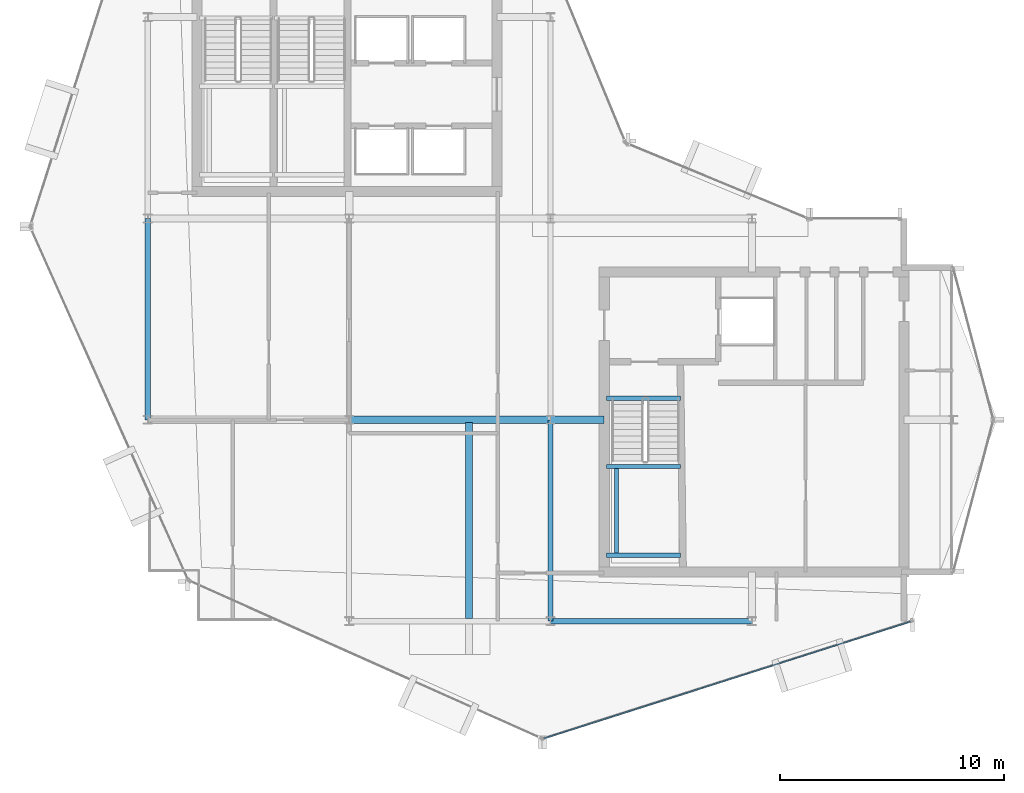
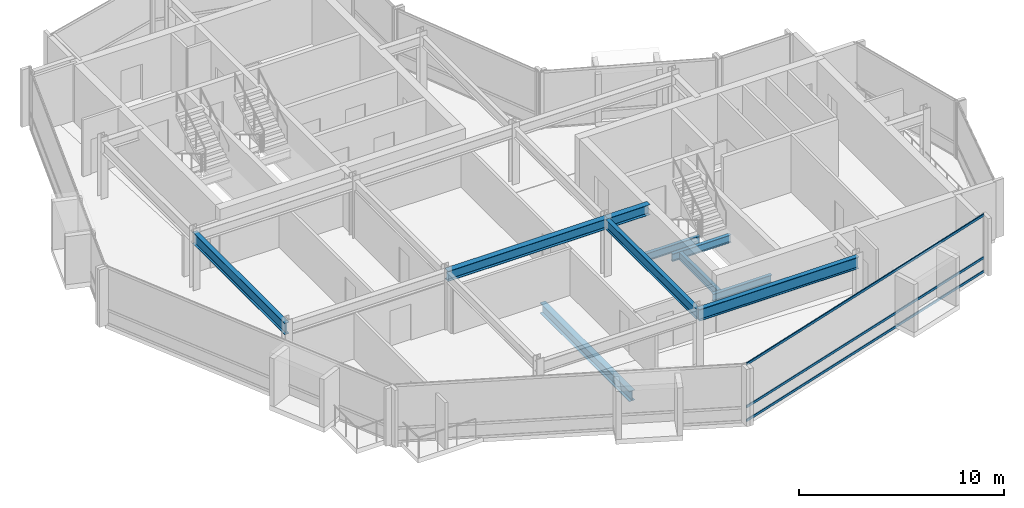
# One storey, part 5 of 19: 10 beams, 3 members, 1 element without a shape of its own.
"""IFC4 building model written with IfcOpenShell, lengths in metres."""

from ifc_helpers import new_model, si_unit, direction, frame, origin, origin_2d, place, context, subcontext, project, spatial, hollow_rectangle, i_section, extrude, material, layer, layer_set, material_profile, profile_set, type_object, element, aggregate, save


model = new_model("IFC4")

# Units and contexts
model_context = context("Model", 3, precision=1e-05, world=origin(), true_north=direction((0.0, 1.0)))
body_context = subcontext(model_context, "Body", "Model", "MODEL_VIEW")
ifc_project = project(units=[si_unit("LENGTHUNIT", "METRE"), si_unit("AREAUNIT", "SQUARE_METRE"), si_unit("VOLUMEUNIT", "CUBIC_METRE"), si_unit("PLANEANGLEUNIT", "RADIAN"), si_unit("MASSUNIT", "GRAM", prefix="KILO")], contexts=[model_context])

# Site, building, storey
site_placement = place(None, origin())
site = spatial("IfcSite", under=ifc_project, at=site_placement, CompositionType="ELEMENT")
building_placement = place(site_placement, origin())
building = spatial("IfcBuilding", under=site, at=building_placement, Name="Solvaryn Broadcast Tower", CompositionType="ELEMENT")
storey_placement = place(building_placement, frame((0.0, 0.0, 274.10009765625)))
storey = spatial("IfcBuildingStorey", under=building, at=storey_placement, Name="L69", CompositionType="ELEMENT", Elevation=274.10009765625)

# Beams
ifc_material_1 = material(Name="Steel ASTM A992 Grade 50", Category="steel")
ifc_material_profile_1 = material_profile(ifc_material_1, i_section(OverallWidth=0.323974609375, OverallDepth=0.611083984375, WebThickness=0.0126953125, FlangeThickness=0.01904296875, FilletRadius=0.014892578125, at=origin_2d()))
ifc_profile_set_1 = profile_set([ifc_material_profile_1], Name="Steel ASTM A992 Grade 50")
beam_type_1 = type_object("IfcBeamType", Name="BM-B1-W24X104", PredefinedType="BEAM", material=ifc_profile_set_1)
beam_1_placement = place(storey_placement, frame((23.35009765625, 17.875, -0.585693359375), z_axis=(0.0, -1.0, 0.0), x_axis=(1.0, 0.0, 0.0)))
element("IfcBeam", 1, at=beam_1_placement, inside=storey, type_object=beam_type_1, Name="L69 Bay-Box Back-Span Beam 1", PredefinedType="BEAM", context=body_context, shape_type="SweptSolid", body=[
    extrude(i_section(OverallWidth=0.323974609375, OverallDepth=0.611083984375, WebThickness=0.0126953125, FlangeThickness=0.01904296875, FilletRadius=0.014892578125, at=origin_2d()), origin(), (0.0, 0.0, 1.0), 8.75),
])
beam_2_placement = place(storey_placement, frame((18.0, 18.0, 3.114501953125), z_axis=(1.0, 0.0, 0.0), x_axis=(0.0, 1.0, 0.0)))
element("IfcBeam", 2, at=beam_2_placement, inside=storey, type_object=beam_type_1, Name="L69 Primary Beam X (18-27 @ Y=18)", PredefinedType="BEAM", context=body_context, shape_type="SweptSolid", body=[
    extrude(i_section(OverallWidth=0.323974609375, OverallDepth=0.611083984375, WebThickness=0.0126953125, FlangeThickness=0.01904296875, FilletRadius=0.014892578125, at=origin_2d()), origin(), (0.0, 0.0, 1.0), 9.0),
])
beam_3_placement = place(storey_placement, frame((27.0, 18.0, 3.114501953125), z_axis=(1.0, 0.0, 0.0), x_axis=(0.0, 1.0, 0.0)))
element("IfcBeam", 3, at=beam_3_placement, inside=storey, type_object=beam_type_1, Name="L69 Core Tie Beam CTE4", PredefinedType="BEAM", context=body_context, shape_type="SweptSolid", body=[
    extrude(i_section(OverallWidth=0.323974609375, OverallDepth=0.611083984375, WebThickness=0.0126953125, FlangeThickness=0.01904296875, FilletRadius=0.014892578125, at=origin_2d()), origin(), (0.0, 0.0, 1.0), 2.39990234375),
])
ifc_material_2 = material(Name="Steel ASTM A992 Grade 50", Category="steel")
ifc_material_profile_2 = material_profile(ifc_material_2, i_section(OverallWidth=0.22802734375, OverallDepth=0.60791015625, WebThickness=0.01123046875, FlangeThickness=0.017333984375, FilletRadius=0.014892578125, at=origin_2d()))
ifc_profile_set_2 = profile_set([ifc_material_profile_2], Name="Steel ASTM A992 Grade 50")
beam_type_2 = type_object("IfcBeamType", Name="BM-B2-W24X76", PredefinedType="BEAM", material=ifc_profile_set_2)
beam_4_placement = place(storey_placement, frame((27.0, 9.0, 3.115966796875), z_axis=(0.0, 1.0, 0.0), x_axis=(-1.0, 0.0, 0.0)))
element("IfcBeam", 4, at=beam_4_placement, inside=storey, type_object=beam_type_2, Name="L69 Primary Beam Y (9-18 @ X=27)", PredefinedType="BEAM", context=body_context, shape_type="SweptSolid", body=[
    extrude(i_section(OverallWidth=0.22802734375, OverallDepth=0.60791015625, WebThickness=0.01123046875, FlangeThickness=0.017333984375, FilletRadius=0.014892578125, at=origin_2d()), origin(), (0.0, 0.0, 1.0), 9.0),
])
ifc_material_3 = material(Name="Steel ASTM A992 Grade 50", Category="steel")
ifc_material_profile_3 = material_profile(ifc_material_3, i_section(OverallWidth=0.18994140625, OverallDepth=0.45703125, WebThickness=0.009033203125, FlangeThickness=0.014404296875, FilletRadius=0.011962890625, at=origin_2d()))
ifc_profile_set_3 = profile_set([ifc_material_profile_3], Name="Steel ASTM A992 Grade 50")
beam_type_3 = type_object("IfcBeamType", Name="BM-B4-W18X50", PredefinedType="BEAM", material=ifc_profile_set_3)
for number, where, z_axis, x_axis, name in (
    (5, (29.5, 18.9599609375, -0.508544921875), (1.0, 0.0, 0.0), (0.0, 1.0, 0.0), "L69 ST3 Stair Well Trimmer Beam"),
    (6, (29.5, 11.949951171875, 1.42138671875), (1.0, 0.0, 0.0), (0.0, 1.0, 0.0), "L69 ST3 Landing Support Beam 1A"),
    (7, (29.5, 15.909912109375, 1.42138671875), (1.0, 0.0, 0.0), (0.0, 1.0, 0.0), "L69 ST3 Landing Support Beam 1B"),
):
    element("IfcBeam", number, at=place(storey_placement, frame(where, z_axis=z_axis, x_axis=x_axis)), inside=storey, type_object=beam_type_3, Name=name, PredefinedType="BEAM", context=body_context, shape_type="SweptSolid", body=[
        extrude(i_section(OverallWidth=0.18994140625, OverallDepth=0.45703125, WebThickness=0.009033203125, FlangeThickness=0.014404296875, FilletRadius=0.011962890625, at=origin_2d()), origin(), (0.0, 0.0, 1.0), 3.320068359375),
    ])
beam_5_placement = place(storey_placement, frame((29.949951171875, 11.949951171875, 1.42138671875), z_axis=(0.0, 1.0, 0.0), x_axis=(-1.0, 0.0, 0.0)))
element("IfcBeam", 8, at=beam_5_placement, inside=storey, type_object=beam_type_3, Name="L69 ST3 Landing Cross Stringer 1C", PredefinedType="BEAM", context=body_context, shape_type="SweptSolid", body=[
    extrude(i_section(OverallWidth=0.18994140625, OverallDepth=0.45703125, WebThickness=0.009033203125, FlangeThickness=0.014404296875, FilletRadius=0.011962890625, at=origin_2d()), origin(), (0.0, 0.0, 1.0), 3.9599609375),
])
ifc_material_4 = material(Name="Steel ASTM A992 Grade 50", Category="steel")
ifc_material_profile_4 = material_profile(ifc_material_4, i_section(OverallWidth=0.256103515625, OverallDepth=0.693115234375, WebThickness=0.014404296875, FlangeThickness=0.023681640625, FilletRadius=0.01611328125, at=origin_2d()))
ifc_profile_set_4 = profile_set([ifc_material_profile_4], Name="Steel ASTM A992 Grade 50")
beam_type_4 = type_object("IfcBeamType", Name="BM-SP3-W27X114", PredefinedType="USERDEFINED", material=ifc_profile_set_4)
for number, where, z_axis, x_axis, name in (
    (9, (27.0, 9.0, 3.073486328125), (1.0, 0.0, 0.0), (0.0, 1.0, 0.0), "L69 Spandrel Beam X (27-36 @ Y=9)"),
    (10, (9.0, 18.0, 3.073486328125), (0.0, 1.0, 0.0), (-1.0, 0.0, 0.0), "L69 Spandrel Beam Y (18-27 @ X=9)"),
):
    element("IfcBeam", number, at=place(storey_placement, frame(where, z_axis=z_axis, x_axis=x_axis)), inside=storey, type_object=beam_type_4, Name=name, ObjectType="SPANDREL", PredefinedType="USERDEFINED", context=body_context, shape_type="SweptSolid", body=[
        extrude(i_section(OverallWidth=0.256103515625, OverallDepth=0.693115234375, WebThickness=0.014404296875, FlangeThickness=0.023681640625, FilletRadius=0.01611328125, at=origin_2d()), origin(), (0.0, 0.0, 1.0), 9.0),
    ])

# Curtain wall, members
ifc_material_5 = material(Name="Aluminium and Terracotta Unitised Curtain Wall", Category="masonry")
ifc_layer = layer(ifc_material_5, 0.199951171875)
ifc_layer_set = layer_set([ifc_layer], Name="CW-SYS2-LOWMID")
curtain_wall_type = type_object("IfcCurtainWallType", Name="CW-SYS2-LOWMID", PredefinedType="NOTDEFINED", material=ifc_layer_set)
curtain_wall_placement = place(storey_placement, origin())
curtain_wall = element("IfcCurtainWall", 11, at=curtain_wall_placement, inside=storey, type_object=curtain_wall_type, Name="L69 Curtain Wall DR4", PredefinedType="NOTDEFINED")
ifc_material_6 = material(Name="Anodised Aluminium 6063-T6", Category="aluminium")
ifc_material_profile_5 = material_profile(ifc_material_6, hollow_rectangle(XDim=0.06494140625, YDim=0.14990234375, WallThickness=0.00390625, InnerFilletRadius=0.00390625, OuterFilletRadius=0.008056640625, at=origin_2d()))
ifc_profile_set_5 = profile_set([ifc_material_profile_5], Name="Anodised Aluminium 6063-T6")
member_type = type_object("IfcMemberType", Name="CW-TRN-150", PredefinedType="USERDEFINED", material=ifc_profile_set_5)
member_1_placement = place(storey_placement, frame((26.693115234375, 3.756103515625, 0.02978515625), z_axis=(0.952794352661, 0.303616405252, 0.0), x_axis=(-0.303616405252, 0.952794352661, 0.0)))
member_1 = element("IfcMember", 12, at=member_1_placement, type_object=member_type, Name="CWS2 transom 1.1", ObjectType="TRANSOM", PredefinedType="USERDEFINED", context=body_context, shape_type="SweptSolid", body=[
    extrude(hollow_rectangle(XDim=0.06494140625, YDim=0.14990234375, WallThickness=0.00390625, InnerFilletRadius=0.00390625, OuterFilletRadius=0.008056640625, at=origin_2d()), origin(), (0.0, 0.0, 1.0), 17.211181640625),
])
member_2_placement = place(storey_placement, frame((26.693115234375, 3.756103515625, 0.849853515625), z_axis=(0.952794352661, 0.303616405252, 0.0), x_axis=(-0.303616405252, 0.952794352661, 0.0)))
member_2 = element("IfcMember", 13, at=member_2_placement, type_object=member_type, Name="CWS2 transom 1.2", ObjectType="TRANSOM", PredefinedType="USERDEFINED", context=body_context, shape_type="SweptSolid", body=[
    extrude(hollow_rectangle(XDim=0.06494140625, YDim=0.14990234375, WallThickness=0.00390625, InnerFilletRadius=0.00390625, OuterFilletRadius=0.008056640625, at=origin_2d()), origin(), (0.0, 0.0, 1.0), 17.211181640625),
])
member_3_placement = place(storey_placement, frame((26.693115234375, 3.756103515625, 3.389892578125), z_axis=(0.952794352661, 0.303616405252, 0.0), x_axis=(-0.303616405252, 0.952794352661, 0.0)))
member_3 = element("IfcMember", 14, at=member_3_placement, type_object=member_type, Name="CWS2 transom 1.3", ObjectType="TRANSOM", PredefinedType="USERDEFINED", context=body_context, shape_type="SweptSolid", body=[
    extrude(hollow_rectangle(XDim=0.06494140625, YDim=0.14990234375, WallThickness=0.00390625, InnerFilletRadius=0.00390625, OuterFilletRadius=0.008056640625, at=origin_2d()), origin(), (0.0, 0.0, 1.0), 17.211181640625),
])
aggregate(curtain_wall, [member_1, member_2, member_3])

save(model, "model.ifc")
